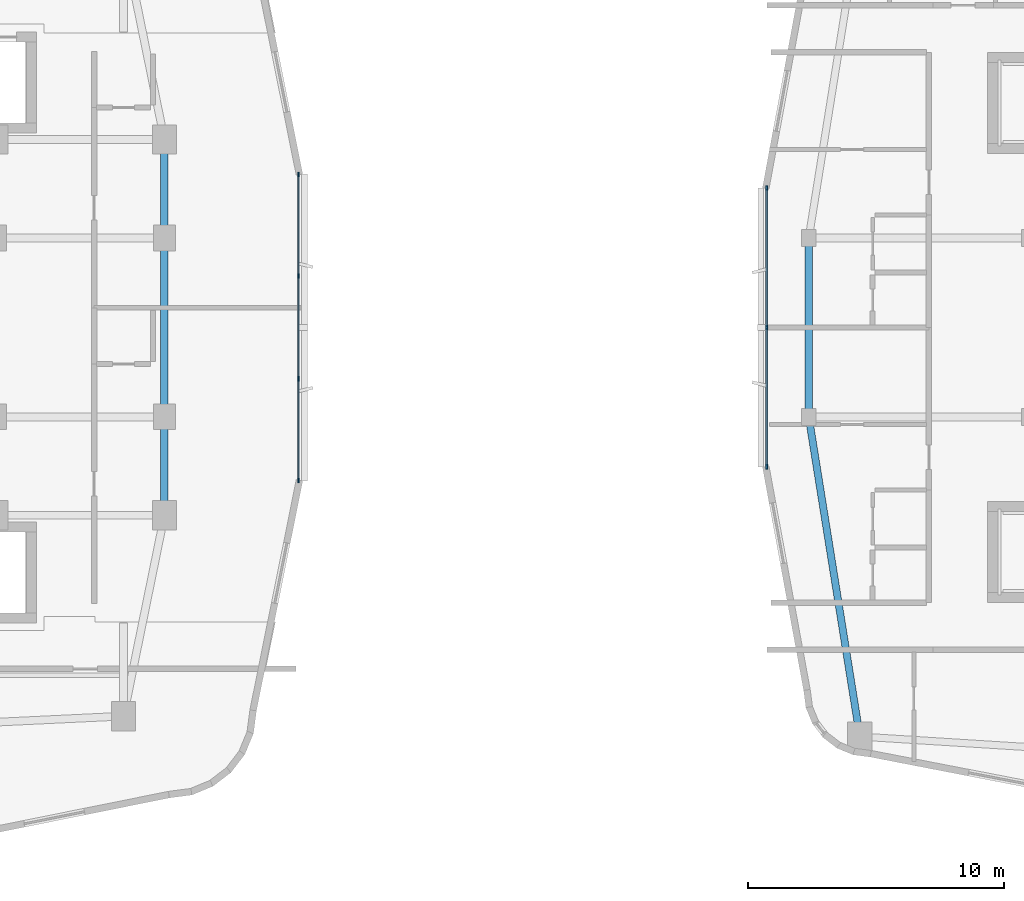
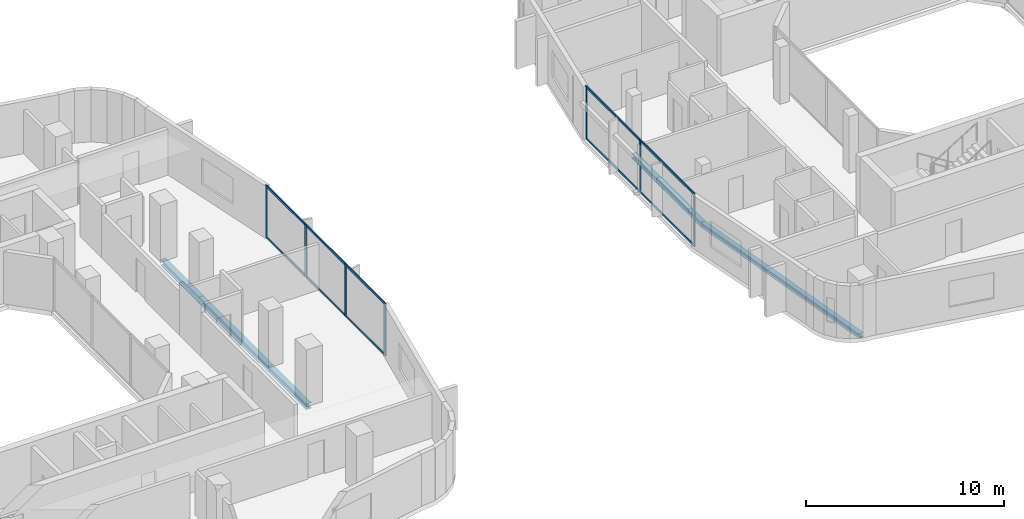
# One storey, part 4 of 22: 17 members, 5 beams, 2 elements without a shape of their own.
"""IFC4 building model written with IfcOpenShell, lengths in metres."""

from ifc_helpers import new_model, si_unit, derived_unit, direction, frame, origin, origin_2d, place, context, subcontext, project, spatial, rectangle, i_section, extrude, material, layer, layer_set, material_profile, profile_set, type_object, element, aggregate, save


model = new_model("IFC4")

# Units and contexts
model_context = context("Model", 3, precision=1e-05, world=origin(), true_north=direction((0.0, 1.0)))
body_context = subcontext(model_context, "Body", "Model", "MODEL_VIEW")
ifc_project = project(units=[si_unit("LENGTHUNIT", "METRE"), si_unit("AREAUNIT", "SQUARE_METRE"), si_unit("VOLUMEUNIT", "CUBIC_METRE"), si_unit("PLANEANGLEUNIT", "RADIAN"), si_unit("MASSUNIT", "GRAM", prefix="KILO"), derived_unit("THERMALTRANSMITTANCEUNIT", [(si_unit("POWERUNIT", "WATT"), 1), (si_unit("LENGTHUNIT", "METRE"), -2), (si_unit("THERMODYNAMICTEMPERATUREUNIT", "KELVIN"), -1)])], contexts=[model_context])

# Site, building, storey
site_placement = place(None, origin())
site = spatial("IfcSite", under=ifc_project, at=site_placement, CompositionType="ELEMENT")
building_placement = place(site_placement, origin())
building = spatial("IfcBuilding", under=site, at=building_placement, Name="Kivonza Crest Hotel", CompositionType="ELEMENT")
storey_placement = place(building_placement, frame((0.0, 0.0, 112.5)))
storey = spatial("IfcBuildingStorey", under=building, at=storey_placement, Name="L30", CompositionType="ELEMENT", Elevation=112.5)

# Beams
ifc_material_1 = material(Name="Steel S355", Category="steel")
ifc_material_profile_1 = material_profile(ifc_material_1, i_section(OverallWidth=0.280029296875, OverallDepth=0.280029296875, WebThickness=0.010498046875, FlangeThickness=0.01806640625, FilletRadius=0.02392578125, at=origin_2d()), Name="HEB 280")
ifc_profile_set_1 = profile_set([ifc_material_profile_1], Name="Steel S355")
beam_type_1 = type_object("IfcBeamType", Name="BM-HEB280", PredefinedType="SPANDREL", material=ifc_profile_set_1)
beam_1_placement = place(storey_placement, frame((61.0, 28.5, -0.389892578125), z_axis=(0.0, -1.0, 0.0), x_axis=(1.0, 0.0, 0.0)))
element("IfcBeam", 1, at=beam_1_placement, inside=storey, type_object=beam_type_1, Name="Companion Tower T2 L30 perimeter spandrel W2-W1", PredefinedType="SPANDREL", context=body_context, shape_type="SweptSolid", body=[
    extrude(i_section(OverallWidth=0.280029296875, OverallDepth=0.280029296875, WebThickness=0.010498046875, FlangeThickness=0.01806640625, FilletRadius=0.02392578125, at=origin_2d()), origin(), (0.0, 0.0, 1.0), 7.0),
])
beam_2_placement = place(storey_placement, frame((61.0, 21.5, -0.389892578125), z_axis=(0.157990501107, -0.987440631917, 0.0), x_axis=(0.987440631917, 0.157990501107, 0.0)))
element("IfcBeam", 2, at=beam_2_placement, inside=storey, type_object=beam_type_1, Name="Companion Tower T2 L30 perimeter spandrel W1-SW", PredefinedType="SPANDREL", context=body_context, shape_type="SweptSolid", body=[
    extrude(i_section(OverallWidth=0.280029296875, OverallDepth=0.280029296875, WebThickness=0.010498046875, FlangeThickness=0.01806640625, FilletRadius=0.02392578125, at=origin_2d()), origin(), (0.0, 0.0, 1.0), 12.658935546875),
])
ifc_material_profile_2 = material_profile(ifc_material_1, i_section(OverallWidth=0.300048828125, OverallDepth=0.360107421875, WebThickness=0.012451171875, FlangeThickness=0.0224609375, FilletRadius=0.027099609375, at=origin_2d()), Name="HEB 360")
ifc_profile_set_2 = profile_set([ifc_material_profile_2], Name="Steel S355")
beam_type_2 = type_object("IfcBeamType", Name="BM-HEB360", PredefinedType="SPANDREL", material=ifc_profile_set_2)
beam_3_placement = place(storey_placement, frame((35.800048828125, 17.64990234375, -0.4599609375), z_axis=(0.0, 1.0, 0.0), x_axis=(-1.0, 0.0, 0.0)))
element("IfcBeam", 3, at=beam_3_placement, inside=storey, type_object=beam_type_2, Name="Tower T1 L30 perimeter spandrel PSE-E1", PredefinedType="SPANDREL", context=body_context, shape_type="SweptSolid", body=[
    extrude(i_section(OverallWidth=0.300048828125, OverallDepth=0.360107421875, WebThickness=0.012451171875, FlangeThickness=0.0224609375, FilletRadius=0.027099609375, at=origin_2d()), origin(), (0.0, 0.0, 1.0), 3.85009765625),
])
beam_4_placement = place(storey_placement, frame((35.800048828125, 21.5, -0.4599609375), z_axis=(0.0, 1.0, 0.0), x_axis=(-1.0, 0.0, 0.0)))
element("IfcBeam", 4, at=beam_4_placement, inside=storey, type_object=beam_type_2, Name="Tower T1 L30 perimeter spandrel E1-E2", PredefinedType="SPANDREL", context=body_context, shape_type="SweptSolid", body=[
    extrude(i_section(OverallWidth=0.300048828125, OverallDepth=0.360107421875, WebThickness=0.012451171875, FlangeThickness=0.0224609375, FilletRadius=0.027099609375, at=origin_2d()), origin(), (0.0, 0.0, 1.0), 7.0),
])
beam_5_placement = place(storey_placement, frame((35.800048828125, 28.5, -0.4599609375), z_axis=(0.0, 1.0, 0.0), x_axis=(-1.0, 0.0, 0.0)))
element("IfcBeam", 5, at=beam_5_placement, inside=storey, type_object=beam_type_2, Name="Tower T1 L30 perimeter spandrel E2-PNE", PredefinedType="SPANDREL", context=body_context, shape_type="SweptSolid", body=[
    extrude(i_section(OverallWidth=0.300048828125, OverallDepth=0.360107421875, WebThickness=0.012451171875, FlangeThickness=0.0224609375, FilletRadius=0.027099609375, at=origin_2d()), origin(), (0.0, 0.0, 1.0), 3.85009765625),
])

# Curtain wall, members
ifc_material_2 = material(Name="Anodised bronze aluminium and low-E double glazing", Category="aluminium")
ifc_layer_1 = layer(ifc_material_2, 0.179931640625)
ifc_layer_set_1 = layer_set([ifc_layer_1], Name="Anodised bronze aluminium and low-E double glazing")
curtain_wall_type_1 = type_object("IfcCurtainWallType", Name="CW-SYS-2", PredefinedType="NOTDEFINED", material=ifc_layer_set_1)
curtain_wall_1_placement = place(storey_placement, origin())
curtain_wall_1 = element("IfcCurtainWall", 6, at=curtain_wall_1_placement, inside=storey, type_object=curtain_wall_type_1, Name="L30 unitised curtain wall CW-T1-L30-17", PredefinedType="NOTDEFINED")
ifc_material_3 = material(Name="Anodised bronze aluminium", Category="aluminium")
ifc_material_profile_3 = material_profile(ifc_material_3, rectangle(XDim=0.06494140625, YDim=0.179931640625, at=origin_2d()), Name="CW-M 65x180")
ifc_profile_set_3 = profile_set([ifc_material_profile_3], Name="Anodised bronze aluminium")
member_type_1 = type_object("IfcMemberType", Name="CW-MUL-65x180", PredefinedType="MULLION", material=ifc_profile_set_3)
member_1_placement = place(storey_placement, frame((41.0400390625, 19.012451171875, 0.0), z_axis=(0.0, 0.0, 1.0), x_axis=(-1.0, 0.0, 0.0)))
member_1 = element("IfcMember", 7, at=member_1_placement, type_object=member_type_1, Name="CW-2 mullion 1", PredefinedType="MULLION", context=body_context, shape_type="SweptSolid", body=[
    extrude(rectangle(XDim=0.06494140625, YDim=0.179931640625, at=origin_2d()), origin(), (0.0, 0.0, 1.0), 3.219970703125),
])
member_2_placement = place(storey_placement, frame((41.0400390625, 22.993408203125, 0.0), z_axis=(0.0, 0.0, 1.0), x_axis=(-1.0, 0.0, 0.0)))
member_2 = element("IfcMember", 8, at=member_2_placement, type_object=member_type_1, Name="CW-2 mullion 2", PredefinedType="MULLION", context=body_context, shape_type="SweptSolid", body=[
    extrude(rectangle(XDim=0.06494140625, YDim=0.179931640625, at=origin_2d()), origin(), (0.0, 0.0, 1.0), 3.219970703125),
])
member_3_placement = place(storey_placement, frame((41.0400390625, 27.006591796875, 0.0), z_axis=(0.0, 0.0, 1.0), x_axis=(-1.0, 0.0, 0.0)))
member_3 = element("IfcMember", 9, at=member_3_placement, type_object=member_type_1, Name="CW-2 mullion 3", PredefinedType="MULLION", context=body_context, shape_type="SweptSolid", body=[
    extrude(rectangle(XDim=0.06494140625, YDim=0.179931640625, at=origin_2d()), origin(), (0.0, 0.0, 1.0), 3.219970703125),
])
member_4_placement = place(storey_placement, frame((41.0400390625, 30.987548828125, 0.0), z_axis=(0.0, 0.0, 1.0), x_axis=(-1.0, 0.0, 0.0)))
member_4 = element("IfcMember", 10, at=member_4_placement, type_object=member_type_1, Name="CW-2 mullion 4", PredefinedType="MULLION", context=body_context, shape_type="SweptSolid", body=[
    extrude(rectangle(XDim=0.06494140625, YDim=0.179931640625, at=origin_2d()), origin(), (0.0, 0.0, 1.0), 3.219970703125),
])

ifc_layer_2 = layer(ifc_material_2, 0.179931640625)
ifc_layer_set_2 = layer_set([ifc_layer_2], Name="Anodised bronze aluminium and low-E double glazing")
curtain_wall_type_2 = type_object("IfcCurtainWallType", Name="CW-SYS-4", PredefinedType="NOTDEFINED", material=ifc_layer_set_2)
curtain_wall_2_placement = place(storey_placement, origin())
curtain_wall_2 = element("IfcCurtainWall", 11, at=curtain_wall_2_placement, inside=storey, type_object=curtain_wall_type_2, Name="L30 unitised curtain wall CW-T2-L30-35", PredefinedType="NOTDEFINED")
member_5_placement = place(storey_placement, frame((59.360107421875, 30.447509765625, 0.0), z_axis=(0.0, 0.0, 1.0), x_axis=(1.0, 0.0, 0.0)))
member_5 = element("IfcMember", 12, at=member_5_placement, type_object=member_type_1, Name="CW-4 mullion 1", PredefinedType="MULLION", context=body_context, shape_type="SweptSolid", body=[
    extrude(rectangle(XDim=0.06494140625, YDim=0.179931640625, at=origin_2d()), origin(), (0.0, 0.0, 1.0), 3.25),
])
member_6_placement = place(storey_placement, frame((59.360107421875, 25.0, 0.0), z_axis=(0.0, 0.0, 1.0), x_axis=(1.0, 0.0, 0.0)))
member_6 = element("IfcMember", 13, at=member_6_placement, type_object=member_type_1, Name="CW-4 mullion 2", PredefinedType="MULLION", context=body_context, shape_type="SweptSolid", body=[
    extrude(rectangle(XDim=0.06494140625, YDim=0.179931640625, at=origin_2d()), origin(), (0.0, 0.0, 1.0), 3.25),
])
member_7_placement = place(storey_placement, frame((59.360107421875, 19.552490234375, 0.0), z_axis=(0.0, 0.0, 1.0), x_axis=(1.0, 0.0, 0.0)))
member_7 = element("IfcMember", 14, at=member_7_placement, type_object=member_type_1, Name="CW-4 mullion 3", PredefinedType="MULLION", context=body_context, shape_type="SweptSolid", body=[
    extrude(rectangle(XDim=0.06494140625, YDim=0.179931640625, at=origin_2d()), origin(), (0.0, 0.0, 1.0), 3.25),
])

# Member
ifc_material_profile_4 = material_profile(ifc_material_3, rectangle(XDim=0.06494140625, YDim=0.139892578125, at=origin_2d()), Name="CW-T 65x140")
ifc_profile_set_4 = profile_set([ifc_material_profile_4], Name="Anodised bronze aluminium")
member_type_2 = type_object("IfcMemberType", Name="CW-TRN-65x140", PredefinedType="USERDEFINED", material=ifc_profile_set_4)
member_8_placement = place(storey_placement, frame((41.0400390625, 19.044921875, 0.032470703125), z_axis=(0.0, 1.0, 0.0), x_axis=(-1.0, 0.0, 0.0)))
member_8 = element("IfcMember", 15, at=member_8_placement, type_object=member_type_2, Name="CW-2 transom 1.1", ObjectType="TRANSOM", PredefinedType="USERDEFINED", context=body_context, shape_type="SweptSolid", body=[
    extrude(rectangle(XDim=0.06494140625, YDim=0.139892578125, at=origin_2d()), origin(), (0.0, 0.0, 1.0), 3.916015625),
])

member_9_placement = place(storey_placement, frame((41.0400390625, 19.044921875, 3.1875), z_axis=(0.0, 1.0, 0.0), x_axis=(-1.0, 0.0, 0.0)))
member_9 = element("IfcMember", 16, at=member_9_placement, type_object=member_type_2, Name="CW-2 transom 1.2", ObjectType="TRANSOM", PredefinedType="USERDEFINED", context=body_context, shape_type="SweptSolid", body=[
    extrude(rectangle(XDim=0.06494140625, YDim=0.139892578125, at=origin_2d()), origin(), (0.0, 0.0, 1.0), 3.916015625),
])

member_10_placement = place(storey_placement, frame((41.0400390625, 23.02587890625, 0.032470703125), z_axis=(0.0, 1.0, 0.0), x_axis=(-1.0, 0.0, 0.0)))
member_10 = element("IfcMember", 17, at=member_10_placement, type_object=member_type_2, Name="CW-2 transom 2.1", ObjectType="TRANSOM", PredefinedType="USERDEFINED", context=body_context, shape_type="SweptSolid", body=[
    extrude(rectangle(XDim=0.06494140625, YDim=0.139892578125, at=origin_2d()), origin(), (0.0, 0.0, 1.0), 3.9482421875),
])

member_11_placement = place(storey_placement, frame((41.0400390625, 23.02587890625, 3.1875), z_axis=(0.0, 1.0, 0.0), x_axis=(-1.0, 0.0, 0.0)))
member_11 = element("IfcMember", 18, at=member_11_placement, type_object=member_type_2, Name="CW-2 transom 2.2", ObjectType="TRANSOM", PredefinedType="USERDEFINED", context=body_context, shape_type="SweptSolid", body=[
    extrude(rectangle(XDim=0.06494140625, YDim=0.139892578125, at=origin_2d()), origin(), (0.0, 0.0, 1.0), 3.9482421875),
])

member_12_placement = place(storey_placement, frame((41.0400390625, 27.0390625, 0.032470703125), z_axis=(0.0, 1.0, 0.0), x_axis=(-1.0, 0.0, 0.0)))
member_12 = element("IfcMember", 19, at=member_12_placement, type_object=member_type_2, Name="CW-2 transom 3.1", ObjectType="TRANSOM", PredefinedType="USERDEFINED", context=body_context, shape_type="SweptSolid", body=[
    extrude(rectangle(XDim=0.06494140625, YDim=0.139892578125, at=origin_2d()), origin(), (0.0, 0.0, 1.0), 3.916015625),
])

member_13_placement = place(storey_placement, frame((41.0400390625, 27.0390625, 3.1875), z_axis=(0.0, 1.0, 0.0), x_axis=(-1.0, 0.0, 0.0)))
member_13 = element("IfcMember", 20, at=member_13_placement, type_object=member_type_2, Name="CW-2 transom 3.2", ObjectType="TRANSOM", PredefinedType="USERDEFINED", context=body_context, shape_type="SweptSolid", body=[
    extrude(rectangle(XDim=0.06494140625, YDim=0.139892578125, at=origin_2d()), origin(), (0.0, 0.0, 1.0), 3.916015625),
])

aggregate(curtain_wall_1, [member_1, member_2, member_3, member_4, member_8, member_9, member_10, member_11, member_12, member_13])

member_14_placement = place(storey_placement, frame((59.360107421875, 30.4150390625, 0.032470703125), z_axis=(0.0, -1.0, 0.0), x_axis=(1.0, 0.0, 0.0)))
member_14 = element("IfcMember", 21, at=member_14_placement, type_object=member_type_2, Name="CW-4 transom 1.1", ObjectType="TRANSOM", PredefinedType="USERDEFINED", context=body_context, shape_type="SweptSolid", body=[
    extrude(rectangle(XDim=0.06494140625, YDim=0.139892578125, at=origin_2d()), origin(), (0.0, 0.0, 1.0), 5.382568359375),
])

member_15_placement = place(storey_placement, frame((59.360107421875, 30.4150390625, 3.217529296875), z_axis=(0.0, -1.0, 0.0), x_axis=(1.0, 0.0, 0.0)))
member_15 = element("IfcMember", 22, at=member_15_placement, type_object=member_type_2, Name="CW-4 transom 1.2", ObjectType="TRANSOM", PredefinedType="USERDEFINED", context=body_context, shape_type="SweptSolid", body=[
    extrude(rectangle(XDim=0.06494140625, YDim=0.139892578125, at=origin_2d()), origin(), (0.0, 0.0, 1.0), 5.382568359375),
])

member_16_placement = place(storey_placement, frame((59.360107421875, 24.967529296875, 0.032470703125), z_axis=(0.0, -1.0, 0.0), x_axis=(1.0, 0.0, 0.0)))
member_16 = element("IfcMember", 23, at=member_16_placement, type_object=member_type_2, Name="CW-4 transom 2.1", ObjectType="TRANSOM", PredefinedType="USERDEFINED", context=body_context, shape_type="SweptSolid", body=[
    extrude(rectangle(XDim=0.06494140625, YDim=0.139892578125, at=origin_2d()), origin(), (0.0, 0.0, 1.0), 5.382568359375),
])

member_17_placement = place(storey_placement, frame((59.360107421875, 24.967529296875, 3.217529296875), z_axis=(0.0, -1.0, 0.0), x_axis=(1.0, 0.0, 0.0)))
member_17 = element("IfcMember", 24, at=member_17_placement, type_object=member_type_2, Name="CW-4 transom 2.2", ObjectType="TRANSOM", PredefinedType="USERDEFINED", context=body_context, shape_type="SweptSolid", body=[
    extrude(rectangle(XDim=0.06494140625, YDim=0.139892578125, at=origin_2d()), origin(), (0.0, 0.0, 1.0), 5.382568359375),
])

aggregate(curtain_wall_2, [member_5, member_6, member_7, member_14, member_15, member_16, member_17])

save(model, "model.ifc")
